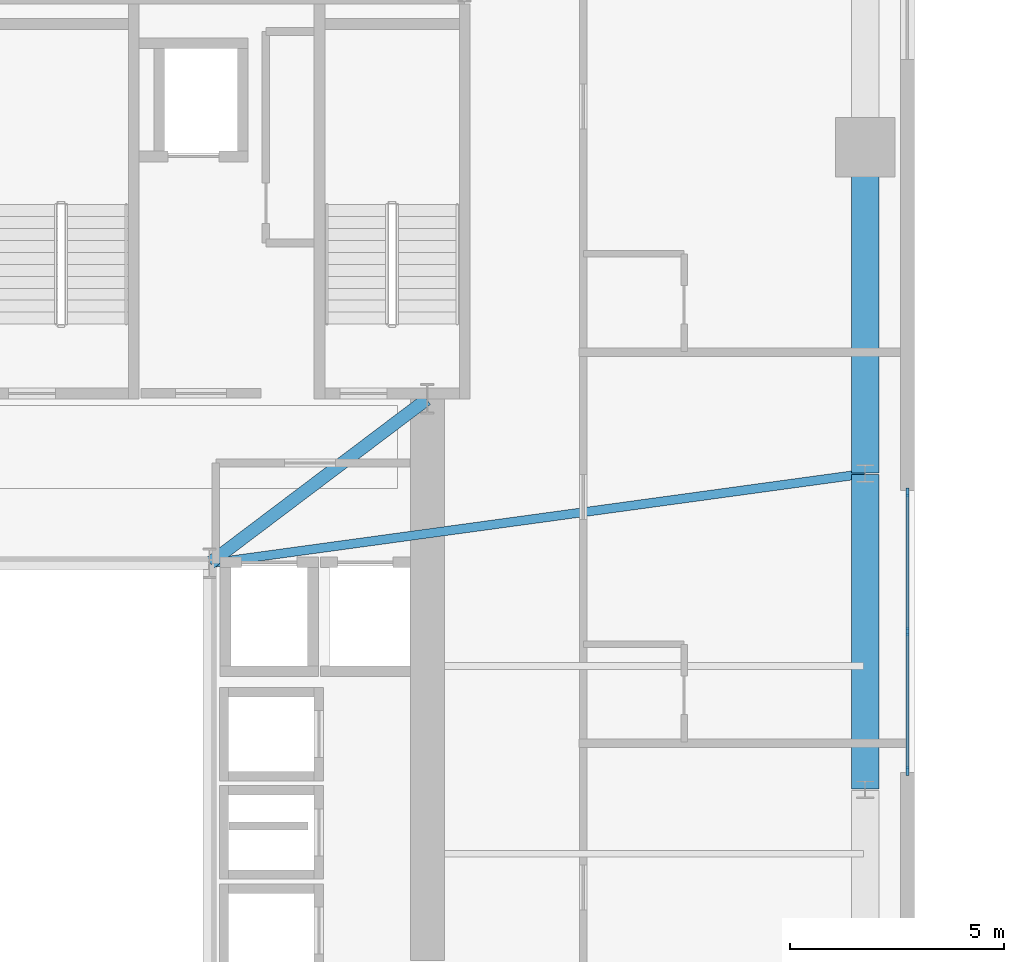
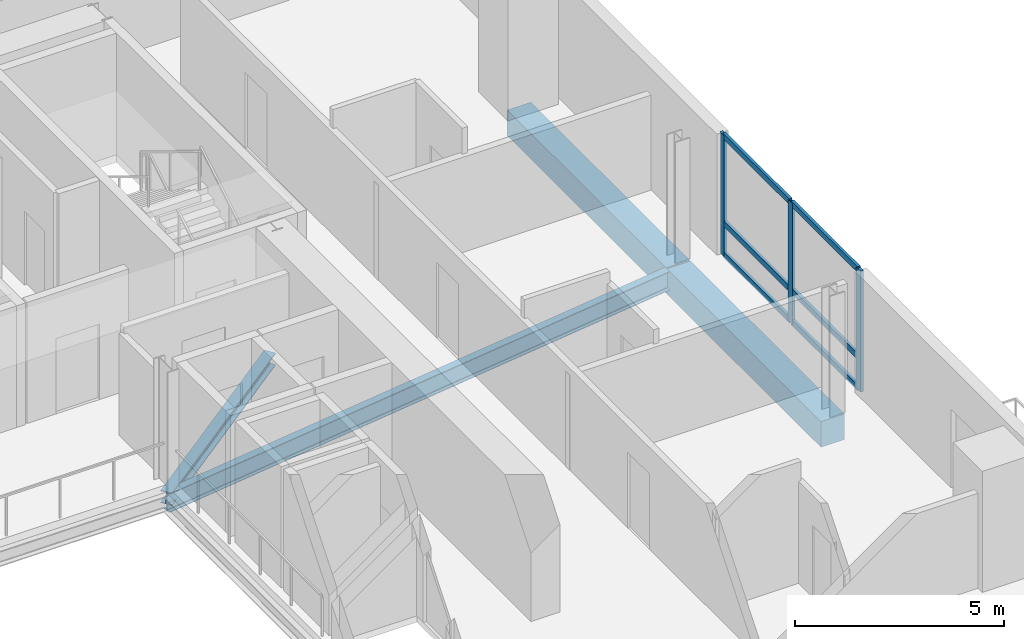
# One storey, part 5 of 16: 9 members, 4 beams, 1 element without a shape of its own.
"""IFC4 building model written with IfcOpenShell, lengths in metres."""

from ifc_helpers import new_model, si_unit, direction, frame, origin, origin_2d, place, context, subcontext, project, spatial, rectangle, i_section, extrude, source, transform, mapped, material, material_profile, profile_set, type_object, element, aggregate, save


model = new_model("IFC4")

# Units and contexts
model_context = context("Model", 3, precision=1e-05, world=origin(), true_north=direction((0.0, 1.0)))
body_context = subcontext(model_context, "Body", "Model", "MODEL_VIEW")
ifc_project = project(units=[si_unit("LENGTHUNIT", "METRE"), si_unit("AREAUNIT", "SQUARE_METRE"), si_unit("VOLUMEUNIT", "CUBIC_METRE"), si_unit("PLANEANGLEUNIT", "RADIAN"), si_unit("MASSUNIT", "GRAM", prefix="KILO")], contexts=[model_context])

# Site, building, storey
site_placement = place(None, origin())
site = spatial("IfcSite", under=ifc_project, at=site_placement, CompositionType="ELEMENT")
building_placement = place(site_placement, origin())
building = spatial("IfcBuilding", under=site, at=building_placement, Name="Vardaveli Station Tower", CompositionType="ELEMENT")
storey_placement = place(building_placement, frame((0.0, 0.0, 203.550048828125)))
storey = spatial("IfcBuildingStorey", under=building, at=storey_placement, Name="L52", CompositionType="ELEMENT", Elevation=203.550048828125)

# Beams
ifc_material_1 = material(Name="Structural steel S355J2", Category="steel")
ifc_material_profile_1 = material_profile(ifc_material_1, i_section(OverallWidth=0.300048828125, OverallDepth=0.360107421875, WebThickness=0.012451171875, FlangeThickness=0.0224609375, FilletRadius=0.027099609375, at=origin_2d()), Name="HEB 360")
ifc_profile_set_1 = profile_set([ifc_material_profile_1], Name="Structural steel S355J2")
beam_type_1 = type_object("IfcBeamType", Name="BM-HEB360", PredefinedType="BEAM", material=ifc_profile_set_1)
shared_shape_1 = source(origin(), body_context, "Body", "SweptSolid", [
    extrude(i_section(OverallWidth=0.300048828125, OverallDepth=0.360107421875, WebThickness=0.012451171875, FlangeThickness=0.0224609375, FilletRadius=0.027099609375, at=origin_2d()), origin(), (0.0, 0.0, 1.0), 6.35009765625),
])
beam_1_placement = place(storey_placement, frame((41.416015625, 26.81201171875, -0.400146484375), z_axis=(0.798118337722, 0.602500721154, 0.0), x_axis=(-0.602500721154, 0.798118337722, 0.0)))
element("IfcBeam", 1, at=beam_1_placement, inside=storey, type_object=beam_type_1, Name="CBM-L52-02", PredefinedType="BEAM", context=body_context, shape_type="MappedRepresentation", body=[
    mapped(shared_shape_1, transform((0.0, 0.0, 0.0), scale=1.0)),
])
ifc_material_2 = material(Name="Precast concrete C45/55", Category="concrete")
ifc_material_profile_2 = material_profile(ifc_material_2, rectangle(XDim=0.64990234375, YDim=0.75, at=origin_2d()), Name="LPB 650x750")
ifc_profile_set_2 = profile_set([ifc_material_profile_2], Name="Precast concrete C45/55")
beam_type_2 = type_object("IfcBeamType", Name="BM-LPB-750", PredefinedType="BEAM", material=ifc_profile_set_2)
shared_shape_2 = source(origin(), body_context, "Body", "SweptSolid", [
    extrude(rectangle(XDim=0.64990234375, YDim=0.75, at=origin_2d()), origin(), (0.0, 0.0, 1.0), 7.60009765625),
])
beam_2_placement = place(storey_placement, frame((56.75, 28.919921875, -0.594970703125), z_axis=(0.0, 1.0, 0.0), x_axis=(-1.0, 0.0, 0.0)))
element("IfcBeam", 2, at=beam_2_placement, inside=storey, type_object=beam_type_2, Name="RBM-L52-09", PredefinedType="BEAM", context=body_context, shape_type="MappedRepresentation", body=[
    mapped(shared_shape_2, transform((0.0, 0.0, 0.0), scale=1.0)),
])
shared_shape_3 = source(origin(), body_context, "Body", "SweptSolid", [
    extrude(rectangle(XDim=0.64990234375, YDim=0.75, at=origin_2d()), origin(), (0.0, 0.0, 1.0), 7.35986328125),
])
beam_3_placement = place(storey_placement, frame((56.75, 21.52001953125, -0.594970703125), z_axis=(0.0, 1.0, 0.0), x_axis=(-1.0, 0.0, 0.0)))
element("IfcBeam", 3, at=beam_3_placement, inside=storey, type_object=beam_type_2, Name="RBM-L52-08", PredefinedType="BEAM", context=body_context, shape_type="MappedRepresentation", body=[
    mapped(shared_shape_3, transform((0.0, 0.0, 0.0), scale=1.0)),
])
ifc_material_profile_3 = material_profile(ifc_material_1, i_section(OverallWidth=0.2099609375, OverallDepth=0.550048828125, WebThickness=0.010986328125, FlangeThickness=0.01708984375, FilletRadius=0.02392578125, at=origin_2d()), Name="IPE 550")
ifc_profile_set_3 = profile_set([ifc_material_profile_3], Name="Structural steel S355J2")
beam_type_3 = type_object("IfcBeamType", Name="BM-IPE550", PredefinedType="BEAM", material=ifc_profile_set_3)
shared_shape_4 = source(origin(), body_context, "Body", "SweptSolid", [
    extrude(i_section(OverallWidth=0.2099609375, OverallDepth=0.550048828125, WebThickness=0.010986328125, FlangeThickness=0.01708984375, FilletRadius=0.02392578125, at=origin_2d()), origin(), (0.0, 0.0, 1.0), 15.452880859375),
])
beam_4_placement = place(storey_placement, frame((56.730224609375, 28.897216796875, -0.4951171875), z_axis=(-0.99077191151, -0.135539733521, 0.0), x_axis=(0.135539733521, -0.99077191151, 0.0)))
element("IfcBeam", 4, at=beam_4_placement, inside=storey, type_object=beam_type_3, Name="GBM-L52-07", PredefinedType="BEAM", context=body_context, shape_type="MappedRepresentation", body=[
    mapped(shared_shape_4, transform((0.0, 0.0, 0.0), scale=1.0)),
])

# Curtain wall, members
ifc_material_3 = material(Name="Travertine stone and solar-control glass", Category="masonry")
curtain_wall_type = type_object("IfcCurtainWallType", Name="CW-SYS-5", PredefinedType="NOTDEFINED", material=ifc_material_3)
curtain_wall_placement = place(storey_placement, origin())
curtain_wall = element("IfcCurtainWall", 5, at=curtain_wall_placement, inside=storey, type_object=curtain_wall_type, Name="CW-L52-E", PredefinedType="NOTDEFINED")
ifc_material_4 = material(Name="Anodised aluminium alloy 6063-T6", Category="aluminium")
ifc_material_profile_4 = material_profile(ifc_material_4, rectangle(XDim=0.080078125, YDim=0.1650390625, at=origin_2d()), Name="CWT 80x165")
ifc_profile_set_4 = profile_set([ifc_material_profile_4], Name="Anodised aluminium alloy 6063-T6")
member_type_1 = type_object("IfcMemberType", Name="CW-SYS-5-TRAN", PredefinedType="NOTDEFINED", material=ifc_profile_set_4)
shared_shape_5 = source(origin(), body_context, "Body", "SweptSolid", [
    extrude(rectangle(XDim=0.080078125, YDim=0.1650390625, at=origin_2d()), origin(), (0.0, 0.0, 1.0), 3.179931640625),
])
member_1_placement = place(storey_placement, frame((57.739990234375, 21.97998046875, 0.0400390625), z_axis=(0.0, 1.0, 0.0), x_axis=(-1.0, 0.0, 0.0)))
member_1 = element("IfcMember", 6, at=member_1_placement, type_object=member_type_1, Name="CW-5 transom 1.1", ObjectType="TRANSOM", PredefinedType="USERDEFINED", context=body_context, shape_type="MappedRepresentation", body=[
    mapped(shared_shape_5, transform((0.0, 0.0, 0.0), scale=1.0)),
])
member_2_placement = place(storey_placement, frame((57.739990234375, 21.97998046875, 0.949951171875), z_axis=(0.0, 1.0, 0.0), x_axis=(-1.0, 0.0, 0.0)))
member_2 = element("IfcMember", 7, at=member_2_placement, type_object=member_type_1, Name="CW-5 transom 1.2", ObjectType="TRANSOM", PredefinedType="USERDEFINED", context=body_context, shape_type="MappedRepresentation", body=[
    mapped(shared_shape_5, transform((0.0, 0.0, 0.0), scale=1.0)),
])
member_3_placement = place(storey_placement, frame((57.739990234375, 21.97998046875, 3.489990234375), z_axis=(0.0, 1.0, 0.0), x_axis=(-1.0, 0.0, 0.0)))
member_3 = element("IfcMember", 8, at=member_3_placement, type_object=member_type_1, Name="CW-5 transom 1.3", ObjectType="TRANSOM", PredefinedType="USERDEFINED", context=body_context, shape_type="MappedRepresentation", body=[
    mapped(shared_shape_5, transform((0.0, 0.0, 0.0), scale=1.0)),
])
member_4_placement = place(storey_placement, frame((57.739990234375, 25.239990234375, 0.0400390625), z_axis=(0.0, 1.0, 0.0), x_axis=(-1.0, 0.0, 0.0)))
member_4 = element("IfcMember", 9, at=member_4_placement, type_object=member_type_1, Name="CW-5 transom 2.1", ObjectType="TRANSOM", PredefinedType="USERDEFINED", context=body_context, shape_type="MappedRepresentation", body=[
    mapped(shared_shape_5, transform((0.0, 0.0, 0.0), scale=1.0)),
])
member_5_placement = place(storey_placement, frame((57.739990234375, 25.239990234375, 0.949951171875), z_axis=(0.0, 1.0, 0.0), x_axis=(-1.0, 0.0, 0.0)))
member_5 = element("IfcMember", 10, at=member_5_placement, type_object=member_type_1, Name="CW-5 transom 2.2", ObjectType="TRANSOM", PredefinedType="USERDEFINED", context=body_context, shape_type="MappedRepresentation", body=[
    mapped(shared_shape_5, transform((0.0, 0.0, 0.0), scale=1.0)),
])
member_6_placement = place(storey_placement, frame((57.739990234375, 25.239990234375, 3.489990234375), z_axis=(0.0, 1.0, 0.0), x_axis=(-1.0, 0.0, 0.0)))
member_6 = element("IfcMember", 11, at=member_6_placement, type_object=member_type_1, Name="CW-5 transom 2.3", ObjectType="TRANSOM", PredefinedType="USERDEFINED", context=body_context, shape_type="MappedRepresentation", body=[
    mapped(shared_shape_5, transform((0.0, 0.0, 0.0), scale=1.0)),
])
ifc_material_profile_5 = material_profile(ifc_material_4, rectangle(XDim=0.080078125, YDim=0.205078125, at=origin_2d()), Name="CWM 80x205")
ifc_profile_set_5 = profile_set([ifc_material_profile_5], Name="Anodised aluminium alloy 6063-T6")
member_type_2 = type_object("IfcMemberType", Name="CW-SYS-5-MULL", PredefinedType="MULLION", material=ifc_profile_set_5)
shared_shape_6 = source(origin(), body_context, "Body", "SweptSolid", [
    extrude(rectangle(XDim=0.080078125, YDim=0.205078125, at=origin_2d()), origin(), (0.0, 0.0, 1.0), 3.530029296875),
])
member_7_placement = place(storey_placement, frame((57.739990234375, 21.93994140625, 0.0), z_axis=(0.0, 0.0, 1.0), x_axis=(-1.0, 0.0, 0.0)))
member_7 = element("IfcMember", 12, at=member_7_placement, type_object=member_type_2, Name="CW-5 mullion 1", PredefinedType="MULLION", context=body_context, shape_type="MappedRepresentation", body=[
    mapped(shared_shape_6, transform((0.0, 0.0, 0.0), scale=1.0)),
])
member_8_placement = place(storey_placement, frame((57.739990234375, 25.199951171875, 0.0), z_axis=(0.0, 0.0, 1.0), x_axis=(-1.0, 0.0, 0.0)))
member_8 = element("IfcMember", 13, at=member_8_placement, type_object=member_type_2, Name="CW-5 mullion 2", PredefinedType="MULLION", context=body_context, shape_type="MappedRepresentation", body=[
    mapped(shared_shape_6, transform((0.0, 0.0, 0.0), scale=1.0)),
])
member_9_placement = place(storey_placement, frame((57.739990234375, 28.4599609375, 0.0), z_axis=(0.0, 0.0, 1.0), x_axis=(-1.0, 0.0, 0.0)))
member_9 = element("IfcMember", 14, at=member_9_placement, type_object=member_type_2, Name="CW-5 mullion 3", PredefinedType="MULLION", context=body_context, shape_type="MappedRepresentation", body=[
    mapped(shared_shape_6, transform((0.0, 0.0, 0.0), scale=1.0)),
])
aggregate(curtain_wall, [member_7, member_8, member_9, member_1, member_2, member_3, member_4, member_5, member_6])

save(model, "model.ifc")
